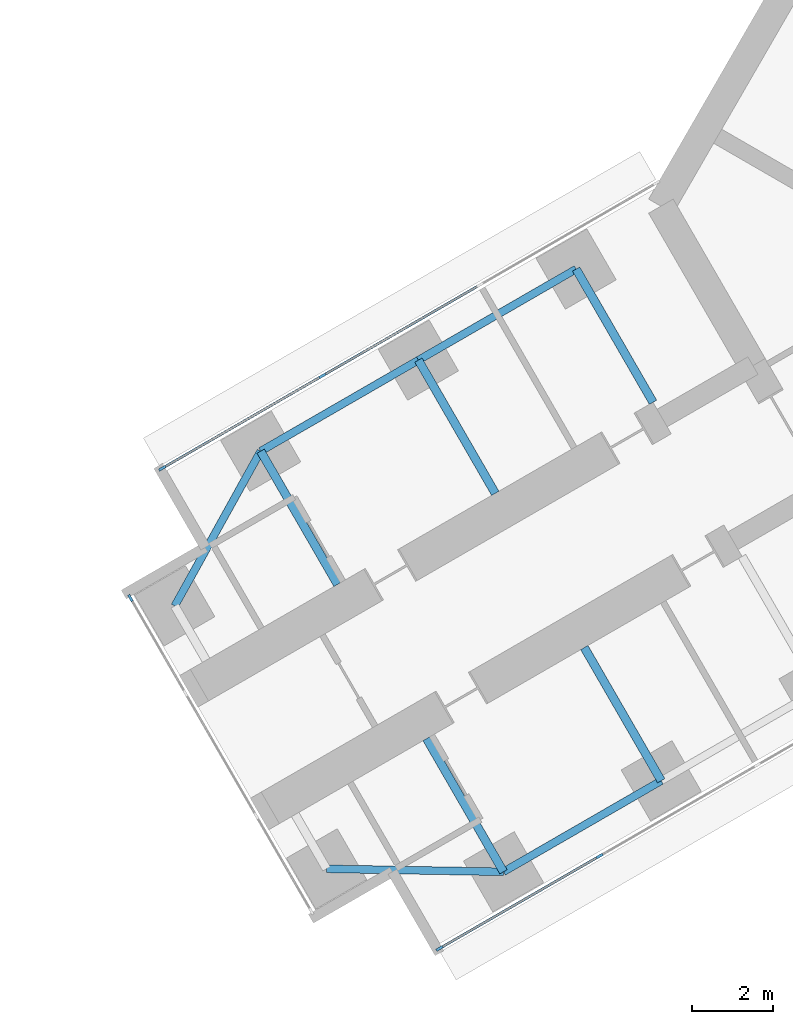
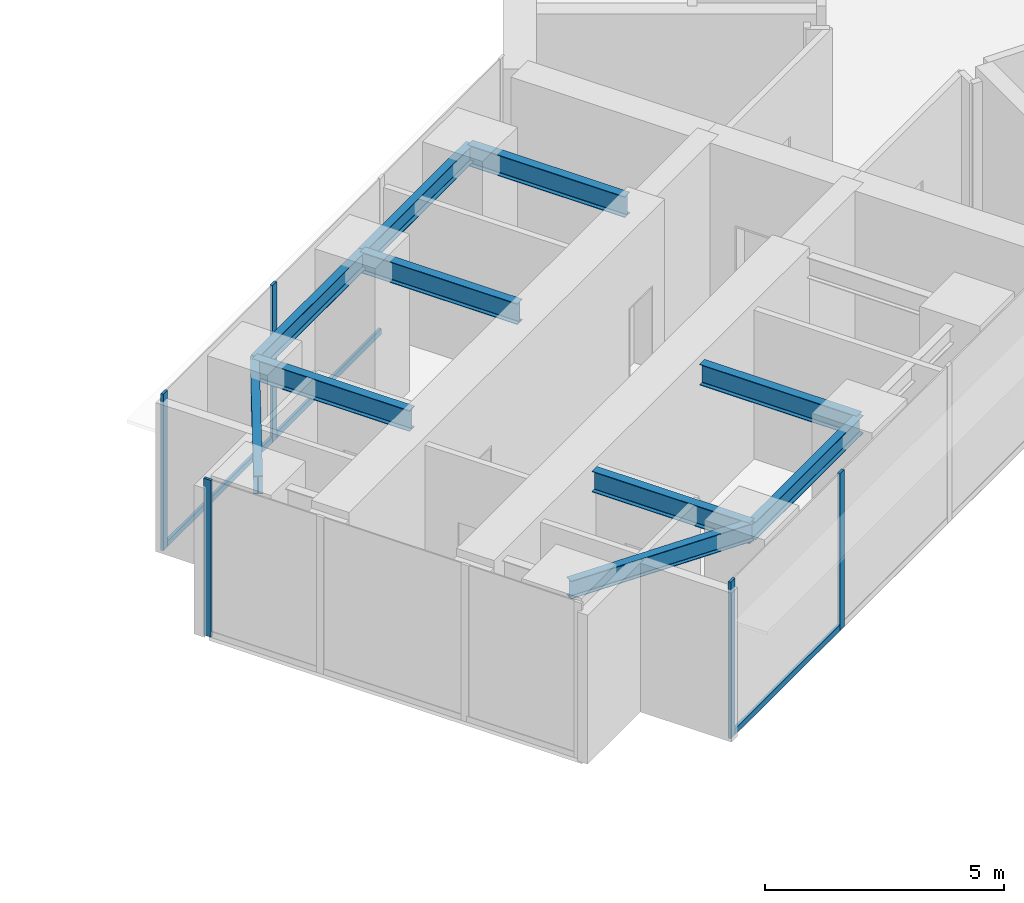
# One storey, part 4 of 24: 10 beams, 8 members, 3 elements without a shape of their own.
"""IFC4 building model written with IfcOpenShell, lengths in metres."""

from ifc_helpers import new_model, si_unit, direction, frame, origin, origin_2d, place, context, subcontext, project, spatial, rectangle, i_section, extrude, material, material_profile, profile_set, type_object, element, aggregate, save


model = new_model("IFC4")

# Units and contexts
model_context = context("Model", 3, precision=1e-05, world=origin(), true_north=direction((0.0, 1.0)))
body_context = subcontext(model_context, "Body", "Model", "MODEL_VIEW")
ifc_project = project(units=[si_unit("LENGTHUNIT", "METRE"), si_unit("AREAUNIT", "SQUARE_METRE"), si_unit("VOLUMEUNIT", "CUBIC_METRE"), si_unit("PLANEANGLEUNIT", "RADIAN"), si_unit("MASSUNIT", "GRAM", prefix="KILO")], contexts=[model_context])

# Site, building, storey
site_placement = place(None, origin())
site = spatial("IfcSite", under=ifc_project, at=site_placement, CompositionType="ELEMENT")
building_placement = place(site_placement, origin())
building = spatial("IfcBuilding", under=site, at=building_placement, Name="Upepo Twin Towers", CompositionType="ELEMENT")
storey_placement = place(building_placement, frame((0.0, 0.0, 48.5)))
storey = spatial("IfcBuildingStorey", under=building, at=storey_placement, Name="L11", CompositionType="ELEMENT", Elevation=48.5)

# Beams
ifc_material_1 = material(Name="Steel S355", Category="steel")
ifc_material_profile_1 = material_profile(ifc_material_1, i_section(OverallWidth=0.1904296875, OverallDepth=0.45703125, WebThickness=0.009033203125, FlangeThickness=0.014404296875, FilletRadius=0.01025390625, at=origin_2d()), Name="UB 457x191x74")
ifc_profile_set_1 = profile_set([ifc_material_profile_1], Name="Steel S355")
beam_type_1 = type_object("IfcBeamType", Name="Beam UB 457x191x74", PredefinedType="BEAM", material=ifc_profile_set_1)
beam_1_placement = place(storey_placement, frame((45.91162109375, -32.196044921875, 3.571533203125), z_axis=(-0.866031096941, -0.499990139034, 0.0), x_axis=(0.499990139034, -0.866031096941, 0.0)))
element("IfcBeam", 1, at=beam_1_placement, inside=storey, type_object=beam_type_1, Name="T2 edge beam BL 18.0-22.5", PredefinedType="BEAM", context=body_context, shape_type="SweptSolid", body=[
    extrude(i_section(OverallWidth=0.1904296875, OverallDepth=0.45703125, WebThickness=0.009033203125, FlangeThickness=0.014404296875, FilletRadius=0.01025390625, at=origin_2d()), origin(), (0.0, 0.0, 1.0), 4.5),
])
beam_2_placement = place(storey_placement, frame((42.014404296875, -34.446044921875, 3.571533203125), z_axis=(-0.999858804832, 0.016803880528, 0.0), x_axis=(-0.016803880528, -0.999858804832, 0.0)))
element("IfcBeam", 2, at=beam_2_placement, inside=storey, type_object=beam_type_1, Name="T2 nose edge beam BL", PredefinedType="BEAM", context=body_context, shape_type="SweptSolid", body=[
    extrude(i_section(OverallWidth=0.1904296875, OverallDepth=0.45703125, WebThickness=0.009033203125, FlangeThickness=0.014404296875, FilletRadius=0.01025390625, at=origin_2d()), origin(), (0.0, 0.0, 1.0), 4.373291015625),
])
beam_3_placement = place(storey_placement, frame((43.80859375, -19.553955078125, 3.571533203125), z_axis=(-0.866017533419, -0.500013631625, 0.0), x_axis=(0.500013631625, -0.866017533419, 0.0)))
element("IfcBeam", 3, at=beam_3_placement, inside=storey, type_object=beam_type_1, Name="T2 edge beam BR 13.5-18.0", PredefinedType="BEAM", context=body_context, shape_type="SweptSolid", body=[
    extrude(i_section(OverallWidth=0.1904296875, OverallDepth=0.45703125, WebThickness=0.009033203125, FlangeThickness=0.014404296875, FilletRadius=0.01025390625, at=origin_2d()), origin(), (0.0, 0.0, 1.0), 4.499755859375),
])
beam_4_placement = place(storey_placement, frame((39.91162109375, -21.803955078125, 3.571533203125), z_axis=(-0.866031096941, -0.499990139034, 0.0), x_axis=(0.499990139034, -0.866031096941, 0.0)))
element("IfcBeam", 4, at=beam_4_placement, inside=storey, type_object=beam_type_1, Name="T2 edge beam BR 18.0-22.5", PredefinedType="BEAM", context=body_context, shape_type="SweptSolid", body=[
    extrude(i_section(OverallWidth=0.1904296875, OverallDepth=0.45703125, WebThickness=0.009033203125, FlangeThickness=0.014404296875, FilletRadius=0.01025390625, at=origin_2d()), origin(), (0.0, 0.0, 1.0), 4.5),
])
beam_5_placement = place(storey_placement, frame((36.014404296875, -24.053955078125, 3.571533203125), z_axis=(-0.485363242752, -0.874312600038, 0.0), x_axis=(0.874312600038, -0.485363242752, 0.0)))
element("IfcBeam", 5, at=beam_5_placement, inside=storey, type_object=beam_type_1, Name="T2 nose edge beam BR", PredefinedType="BEAM", context=body_context, shape_type="SweptSolid", body=[
    extrude(i_section(OverallWidth=0.1904296875, OverallDepth=0.45703125, WebThickness=0.009033203125, FlangeThickness=0.014404296875, FilletRadius=0.01025390625, at=origin_2d()), origin(), (0.0, 0.0, 1.0), 4.373046875),
])
ifc_material_2 = material(Name="Steel S355", Category="steel")
ifc_material_profile_2 = material_profile(ifc_material_2, i_section(OverallWidth=0.209228515625, OverallDepth=0.533203125, WebThickness=0.010009765625, FlangeThickness=0.015625, FilletRadius=0.0126953125, at=origin_2d()), Name="UB 533x210x92")
ifc_profile_set_2 = profile_set([ifc_material_profile_2], Name="Steel S355")
beam_type_2 = type_object("IfcBeamType", Name="Beam UB 533x210x92", PredefinedType="BEAM", material=ifc_profile_set_2)
beam_6_placement = place(storey_placement, frame((45.91162109375, -32.196044921875, 3.533447265625), z_axis=(-0.500043160704, 0.866000483506, 0.0), x_axis=(-0.866000483506, -0.500043160704, 0.0)))
element("IfcBeam", 6, at=beam_6_placement, inside=storey, type_object=beam_type_2, Name="T2 girder BL at 18.0", PredefinedType="BEAM", context=body_context, shape_type="SweptSolid", body=[
    extrude(i_section(OverallWidth=0.209228515625, OverallDepth=0.533203125, WebThickness=0.010009765625, FlangeThickness=0.015625, FilletRadius=0.0126953125, at=origin_2d()), origin(), (0.0, 0.0, 1.0), 3.800048828125),
])
beam_7_placement = place(storey_placement, frame((42.014404296875, -34.446044921875, 3.533447265625), z_axis=(-0.499994975061, 0.866028304915, 0.0), x_axis=(-0.866028304915, -0.499994975061, 0.0)))
element("IfcBeam", 7, at=beam_7_placement, inside=storey, type_object=beam_type_2, Name="T2 girder BL at 22.5", PredefinedType="BEAM", context=body_context, shape_type="SweptSolid", body=[
    extrude(i_section(OverallWidth=0.209228515625, OverallDepth=0.533203125, WebThickness=0.010009765625, FlangeThickness=0.015625, FilletRadius=0.0126953125, at=origin_2d()), origin(), (0.0, 0.0, 1.0), 3.7998046875),
])
beam_8_placement = place(storey_placement, frame((43.80859375, -19.553955078125, 3.533447265625), z_axis=(0.500043160704, -0.866000483506, 0.0), x_axis=(0.866000483506, 0.500043160704, 0.0)))
element("IfcBeam", 8, at=beam_8_placement, inside=storey, type_object=beam_type_2, Name="T2 girder BR at 13.5", PredefinedType="BEAM", context=body_context, shape_type="SweptSolid", body=[
    extrude(i_section(OverallWidth=0.209228515625, OverallDepth=0.533203125, WebThickness=0.010009765625, FlangeThickness=0.015625, FilletRadius=0.0126953125, at=origin_2d()), origin(), (0.0, 0.0, 1.0), 3.800048828125),
])
for number, where, z_axis, x_axis, name in (
    (9, (39.91162109375, -21.803955078125, 3.533447265625), (0.499994975061, -0.866028304915, 0.0), (0.866028304915, 0.499994975061, 0.0), "T2 girder BR at 18.0"),
    (10, (36.014404296875, -24.053955078125, 3.533447265625), (0.499994975061, -0.866028304915, 0.0), (0.866028304915, 0.499994975061, 0.0), "T2 girder BR at 22.5"),
):
    element("IfcBeam", number, at=place(storey_placement, frame(where, z_axis=z_axis, x_axis=x_axis)), inside=storey, type_object=beam_type_2, Name=name, PredefinedType="BEAM", context=body_context, shape_type="SweptSolid", body=[
        extrude(i_section(OverallWidth=0.209228515625, OverallDepth=0.533203125, WebThickness=0.010009765625, FlangeThickness=0.015625, FilletRadius=0.0126953125, at=origin_2d()), origin(), (0.0, 0.0, 1.0), 3.7998046875),
    ])

# Curtain wall, members
ifc_material_3 = material(Name="Aluminium and fritted glass", Category="aluminium")
curtain_wall_type = type_object("IfcCurtainWallType", Name="Tower curtain wall TW1, fritted glass", PredefinedType="NOTDEFINED", material=ifc_material_3)
curtain_wall_1_placement = place(storey_placement, origin())
curtain_wall_1 = element("IfcCurtainWall", 11, at=curtain_wall_1_placement, inside=storey, type_object=curtain_wall_type, Name="T2 L11 wing B flank L curtain wall", PredefinedType="NOTDEFINED")
ifc_material_4 = material(Name="Aluminium mullion", Category="aluminium")
ifc_material_profile_3 = material_profile(ifc_material_4, rectangle(XDim=0.06494140625, YDim=0.179931640625, at=origin_2d()), Name="MULLION 65x180")
ifc_profile_set_3 = profile_set([ifc_material_profile_3], Name="Aluminium mullion")
member_type_1 = type_object("IfcMemberType", Name="Mullion 65x180 TW1", PredefinedType="MULLION", material=ifc_profile_set_3)
member_1_placement = place(storey_placement, frame((44.387939453125, -34.057373046875, 0.0), z_axis=(0.0, 0.0, 1.0), x_axis=(0.500000024426, -0.866025389682, 0.0)))
member_1 = element("IfcMember", 12, at=member_1_placement, type_object=member_type_1, Name="T2 L11 wing B flank L curtain wall mullion 3", PredefinedType="MULLION", context=body_context, shape_type="SweptSolid", body=[
    extrude(rectangle(XDim=0.06494140625, YDim=0.179931640625, at=origin_2d()), origin(), (0.0, 0.0, 1.0), 4.0),
])
member_2_placement = place(storey_placement, frame((40.432373046875, -36.341064453125, 0.0), z_axis=(0.0, 0.0, 1.0), x_axis=(0.500000024426, -0.866025389682, 0.0)))
member_2 = element("IfcMember", 13, at=member_2_placement, type_object=member_type_1, Name="T2 L11 wing B flank L curtain wall mullion 4", PredefinedType="MULLION", context=body_context, shape_type="SweptSolid", body=[
    extrude(rectangle(XDim=0.06494140625, YDim=0.179931640625, at=origin_2d()), origin(), (0.0, 0.0, 1.0), 4.0),
])

curtain_wall_2_placement = place(storey_placement, origin())
curtain_wall_2 = element("IfcCurtainWall", 14, at=curtain_wall_2_placement, inside=storey, type_object=curtain_wall_type, Name="T2 L11 wing B flank R curtain wall", PredefinedType="NOTDEFINED")
member_3_placement = place(storey_placement, frame((33.58251953125, -24.4765625, 0.0), z_axis=(0.0, 0.0, 1.0), x_axis=(-0.500000024426, 0.866025389682, 0.0)))
member_3 = element("IfcMember", 15, at=member_3_placement, type_object=member_type_1, Name="T2 L11 wing B flank R curtain wall mullion 1", PredefinedType="MULLION", context=body_context, shape_type="SweptSolid", body=[
    extrude(rectangle(XDim=0.06494140625, YDim=0.179931640625, at=origin_2d()), origin(), (0.0, 0.0, 1.0), 4.0),
])
member_4_placement = place(storey_placement, frame((37.5380859375, -22.192626953125, 0.0), z_axis=(0.0, 0.0, 1.0), x_axis=(-0.500000024426, 0.866025389682, 0.0)))
member_4 = element("IfcMember", 16, at=member_4_placement, type_object=member_type_1, Name="T2 L11 wing B flank R curtain wall mullion 2", PredefinedType="MULLION", context=body_context, shape_type="SweptSolid", body=[
    extrude(rectangle(XDim=0.06494140625, YDim=0.179931640625, at=origin_2d()), origin(), (0.0, 0.0, 1.0), 4.0),
])

# Curtain wall, member
curtain_wall_3_placement = place(storey_placement, origin())
curtain_wall_3 = element("IfcCurtainWall", 17, at=curtain_wall_3_placement, inside=storey, type_object=curtain_wall_type, Name="T2 L11 wing B nose curtain wall", PredefinedType="NOTDEFINED")
member_5_placement = place(storey_placement, frame((32.796875, -27.68115234375, 0.0), z_axis=(0.0, 0.0, 1.0), x_axis=(0.866025386174, 0.500000030502, 0.0)))
member_5 = element("IfcMember", 18, at=member_5_placement, type_object=member_type_1, Name="T2 L11 wing B nose curtain wall mullion 1", PredefinedType="MULLION", context=body_context, shape_type="SweptSolid", body=[
    extrude(rectangle(XDim=0.06494140625, YDim=0.179931640625, at=origin_2d()), origin(), (0.0, 0.0, 1.0), 4.0),
])
aggregate(curtain_wall_3, [member_5])

# Member
ifc_material_5 = material(Name="Aluminium transom", Category="aluminium")
ifc_material_profile_4 = material_profile(ifc_material_5, rectangle(XDim=0.06494140625, YDim=0.14990234375, at=origin_2d()), Name="TRANSOM 65x150")
ifc_profile_set_4 = profile_set([ifc_material_profile_4], Name="Aluminium transom")
member_type_2 = type_object("IfcMemberType", Name="Transom 65x150 TW1", PredefinedType="USERDEFINED", material=ifc_profile_set_4)
member_6_placement = place(storey_placement, frame((44.35986328125, -34.073486328125, 0.074951171875), z_axis=(-0.866035699072, -0.499982167615, 0.0), x_axis=(0.499982167615, -0.866035699072, 0.0)))
member_6 = element("IfcMember", 19, at=member_6_placement, type_object=member_type_2, Name="T2 L11 wing B flank L curtain wall transom 3", ObjectType="TRANSOM", PredefinedType="USERDEFINED", context=body_context, shape_type="SweptSolid", body=[
    extrude(rectangle(XDim=0.06494140625, YDim=0.14990234375, at=origin_2d()), origin(), (0.0, 0.0, 1.0), 4.502685546875),
])

aggregate(curtain_wall_1, [member_1, member_2, member_6])

member_7_placement = place(storey_placement, frame((33.610595703125, -24.460205078125, 0.074951171875), z_axis=(0.866022143554, 0.500005646842, 0.0), x_axis=(-0.500005646842, 0.866022143554, 0.0)))
member_7 = element("IfcMember", 20, at=member_7_placement, type_object=member_type_2, Name="T2 L11 wing B flank R curtain wall transom 1", ObjectType="TRANSOM", PredefinedType="USERDEFINED", context=body_context, shape_type="SweptSolid", body=[
    extrude(rectangle(XDim=0.06494140625, YDim=0.14990234375, at=origin_2d()), origin(), (0.0, 0.0, 1.0), 4.50244140625),
])

member_8_placement = place(storey_placement, frame((37.566162109375, -22.176513671875, 0.074951171875), z_axis=(0.866022410713, 0.500005184116, 0.0), x_axis=(-0.500005184116, 0.866022410713, 0.0)))
member_8 = element("IfcMember", 21, at=member_8_placement, type_object=member_type_2, Name="T2 L11 wing B flank R curtain wall transom 2", ObjectType="TRANSOM", PredefinedType="USERDEFINED", context=body_context, shape_type="SweptSolid", body=[
    extrude(rectangle(XDim=0.06494140625, YDim=0.14990234375, at=origin_2d()), origin(), (0.0, 0.0, 1.0), 4.43505859375),
])

aggregate(curtain_wall_2, [member_3, member_4, member_7, member_8])

save(model, "model.ifc")
